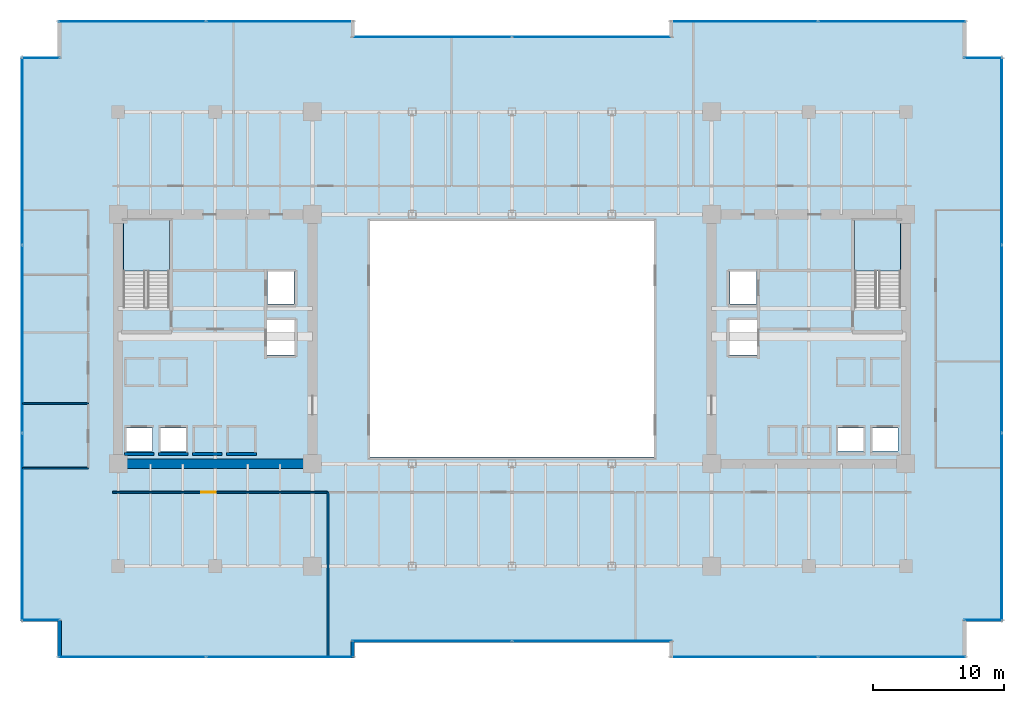
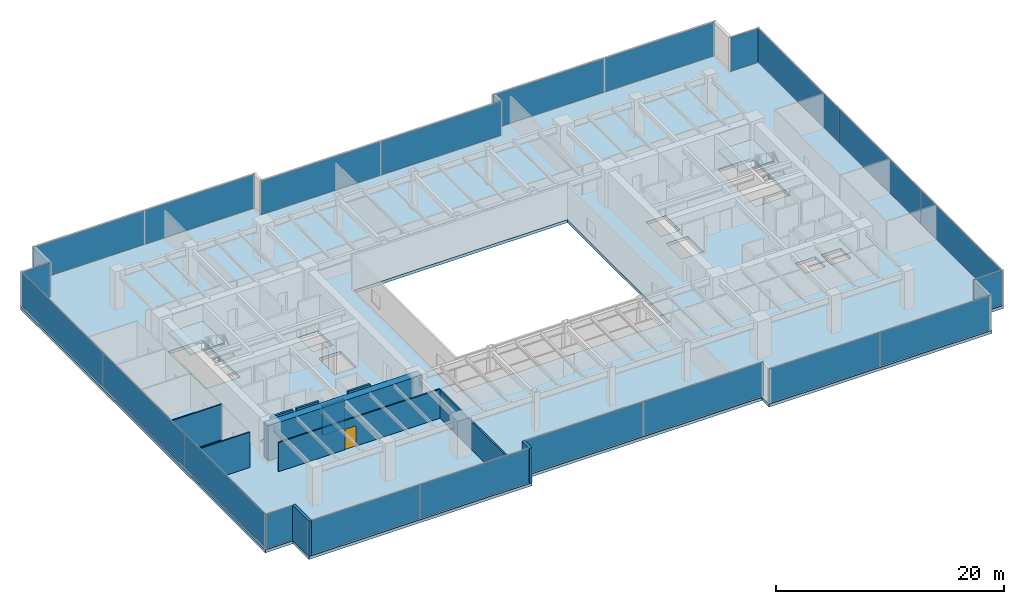
# One storey, part 28 of 35: 22 plates, 11 walls, 3 slabs, 1 door, 1 opening, 14 elements without a shape of their own.
"""IFC4 building model written with IfcOpenShell, lengths in metres."""

from ifc_helpers import new_model, si_unit, direction, frame, frame_2d, origin, origin_2d, place, context, subcontext, project, spatial, polyline, rectangle, outline, extrude, source, transform, mapped, material, layer, layer_set, type_object, type_shapes, element, fill, aggregate, save


model = new_model("IFC4")

# Units and contexts
model_context = context("Model", 3, precision=1e-05, world=origin(), true_north=direction((0.0, 1.0)))
body_context = subcontext(model_context, "Body", "Model", "MODEL_VIEW")
ifc_project = project(units=[si_unit("LENGTHUNIT", "METRE"), si_unit("AREAUNIT", "SQUARE_METRE"), si_unit("VOLUMEUNIT", "CUBIC_METRE"), si_unit("PLANEANGLEUNIT", "RADIAN"), si_unit("MASSUNIT", "GRAM", prefix="KILO")], contexts=[model_context])

# Site, building, storey
site_placement = place(None, origin())
site = spatial("IfcSite", under=ifc_project, at=site_placement, CompositionType="ELEMENT")
building_placement = place(site_placement, origin())
building = spatial("IfcBuilding", under=site, at=building_placement, Name="Haelvirn Gate Laboratories", CompositionType="ELEMENT")
storey_placement = place(building_placement, frame((0.0, 0.0, 90.800048828125)))
storey = spatial("IfcBuildingStorey", under=building, at=storey_placement, Name="L22", CompositionType="ELEMENT", Elevation=90.800048828125)

# Stair, slab
ifc_material_1 = material(Name="Concrete C40/50", Category="concrete")
stair_type = type_object("IfcStairType", Name="ST-DOG-1650-R22", PredefinedType="HALF_TURN_STAIR", material=ifc_material_1)
stair_1_placement = place(storey_placement, origin())
stair_1 = element("IfcStair", 1, at=stair_1_placement, inside=storey, type_object=stair_type, Name="L22 Escape Stair ST1", PredefinedType="HALF_TURN_STAIR")
ifc_layer_1 = layer(ifc_material_1, 0.199951171875, Name="SL-STAIR-LND")
ifc_layer_set_1 = layer_set([ifc_layer_1], Name="Concrete C40/50")
slab_type_1 = type_object("IfcSlabType", Name="SL-STAIR-LND", PredefinedType="LANDING", material=ifc_layer_set_1)
slab_1_placement = place(storey_placement, frame((0.0, 0.0, 1.849853515625)))
slab_1 = element("IfcSlab", 2, at=slab_1_placement, type_object=slab_type_1, Name="ST1 landing 1", PredefinedType="LANDING", context=body_context, shape_type="SweptSolid", body=[
    extrude(outline(polyline([(11.300048828125, 29.5), (11.300048828125, 33.35009765625), (7.800048828125, 33.35009765625), (7.800048828125, 29.5), (11.300048828125, 29.5)])), origin(), (0.0, 0.0, 1.0), 0.2001953125),
])
aggregate(stair_1, [slab_1])

stair_2_placement = place(storey_placement, origin())
stair_2 = element("IfcStair", 3, at=stair_2_placement, inside=storey, type_object=stair_type, Name="L22 Escape Stair ST2", PredefinedType="HALF_TURN_STAIR")
slab_2_placement = place(storey_placement, frame((0.0, 0.0, 1.849853515625)))
slab_2 = element("IfcSlab", 4, at=slab_2_placement, type_object=slab_type_1, Name="ST2 landing 1", PredefinedType="LANDING", context=body_context, shape_type="SweptSolid", body=[
    extrude(outline(polyline([(67.0, 29.5), (67.0, 33.35009765625), (63.5, 33.35009765625), (63.5, 29.5), (67.0, 29.5)])), origin(), (0.0, 0.0, 1.0), 0.2001953125),
])
aggregate(stair_2, [slab_2])

# Slab
ifc_material_2 = material(Name="Concrete C50/60", Category="concrete")
ifc_layer_2 = layer(ifc_material_2, 0.320068359375, Name="SL-Z1-320")
ifc_layer_set_2 = layer_set([ifc_layer_2], Name="Concrete C50/60")
slab_type_2 = type_object("IfcSlabType", Name="SL-Z1-320", PredefinedType="FLOOR", material=ifc_layer_set_2)
slab_3_placement = place(storey_placement, frame((0.0, 0.0, -0.320068359375)))
element("IfcSlab", 5, at=slab_3_placement, inside=storey, type_object=slab_type_2, Name="L22 Structural Slab MAIN", PredefinedType="FLOOR", context=body_context, shape_type="SweptSolid", body=[
    extrude(outline(polyline([(2.800048828125, 0.0), (25.39990234375, 0.0), (25.39990234375, 1.199951171875), (49.39990234375, 1.199951171875), (49.39990234375, 0.0), (72.0, 0.0), (72.0, 2.800048828125), (74.800048828125, 2.800048828125), (74.800048828125, 45.800048828125), (72.0, 45.800048828125), (72.0, 48.60009765625), (49.39990234375, 48.60009765625), (49.39990234375, 47.39990234375), (25.39990234375, 47.39990234375), (25.39990234375, 48.60009765625), (2.800048828125, 48.60009765625), (2.800048828125, 45.800048828125), (0.0, 45.800048828125), (0.0, 2.800048828125), (2.800048828125, 2.800048828125), (2.800048828125, 0.0)]), holes=[polyline([(26.60009765625, 15.300048828125), (48.199951171875, 15.300048828125), (48.199951171875, 33.300048828125), (26.60009765625, 33.300048828125), (26.60009765625, 15.300048828125)]), polyline([(11.300048828125, 26.780029296875), (11.300048828125, 33.35009765625), (7.800048828125, 33.35009765625), (7.800048828125, 26.780029296875), (11.300048828125, 26.780029296875)]), polyline([(67.0, 26.780029296875), (67.0, 33.35009765625), (63.5, 33.35009765625), (63.5, 26.780029296875), (67.0, 26.780029296875)]), polyline([(7.989990234375, 15.77001953125), (10.010009765625, 15.77001953125), (10.010009765625, 17.510009765625), (7.989990234375, 17.510009765625), (7.989990234375, 15.77001953125)]), polyline([(10.590087890625, 15.77001953125), (12.610107421875, 15.77001953125), (12.610107421875, 17.510009765625), (10.590087890625, 17.510009765625), (10.590087890625, 15.77001953125)]), polyline([(18.7900390625, 26.969970703125), (20.81005859375, 26.969970703125), (20.81005859375, 29.510009765625), (18.7900390625, 29.510009765625), (18.7900390625, 26.969970703125)]), polyline([(18.68994140625, 23.070068359375), (20.909912109375, 23.070068359375), (20.909912109375, 25.81005859375), (18.68994140625, 25.81005859375), (18.68994140625, 23.070068359375)]), polyline([(64.7900390625, 15.77001953125), (66.81005859375, 15.77001953125), (66.81005859375, 17.510009765625), (64.7900390625, 17.510009765625), (64.7900390625, 15.77001953125)]), polyline([(62.18994140625, 15.77001953125), (64.2099609375, 15.77001953125), (64.2099609375, 17.510009765625), (62.18994140625, 17.510009765625), (62.18994140625, 15.77001953125)]), polyline([(53.989990234375, 26.969970703125), (56.010009765625, 26.969970703125), (56.010009765625, 29.510009765625), (53.989990234375, 29.510009765625), (53.989990234375, 26.969970703125)]), polyline([(53.889892578125, 23.070068359375), (56.110107421875, 23.070068359375), (56.110107421875, 25.81005859375), (53.889892578125, 25.81005859375), (53.889892578125, 23.070068359375)])]), origin(), (0.0, 0.0, 1.0), 0.320068359375),
])

# Curtain wall, plates
ifc_material_3 = material(Name="Anodised bronze unitised aluminium & triple low-E glass", Category="aluminium")
ifc_layer_3 = layer(ifc_material_3, 0.18408203125, Name="CW-SYS-2")
ifc_layer_set_3 = layer_set([ifc_layer_3], Name="Anodised bronze unitised aluminium & triple low-E glass")
curtain_wall_type_1 = type_object("IfcCurtainWallType", Name="CW-SYS-2", PredefinedType="NOTDEFINED", material=ifc_layer_set_3)
curtain_wall_1_placement = place(storey_placement, origin())
curtain_wall_1 = element("IfcCurtainWall", 6, at=curtain_wall_1_placement, inside=storey, type_object=curtain_wall_type_1, Name="L22 Unitised Curtain Wall CW-L22-P0-E02-1", PredefinedType="NOTDEFINED")
ifc_material_4 = material(Name="Bronze solar-control triple low-E IGU 44 mm", Category="glass")
ifc_layer_4 = layer(ifc_material_4, 0.0439453125, Name="CWP-IGU-44")
ifc_layer_set_4 = layer_set([ifc_layer_4], Name="Bronze solar-control triple low-E IGU 44 mm")
plate_type_1 = type_object("IfcPlateType", Name="CWP-IGU-44", PredefinedType="CURTAIN_PANEL", material=ifc_layer_set_4)
shared_shape_1 = source(origin(), body_context, "Body", "SweptSolid", [
    extrude(rectangle(XDim=12.12744140625, YDim=0.0439453125, at=origin_2d()), origin(), (0.0, 0.0, 1.0), 3.639892578125),
])
plate_1_placement = place(storey_placement, frame((31.298828125, 1.300048828125, 0.06982421875), z_axis=(0.0, 0.0, 1.0), x_axis=(1.0, 0.0, 0.0)))
plate_1 = element("IfcPlate", 7, at=plate_1_placement, type_object=plate_type_1, Name="CW2 panel 1.1", PredefinedType="CURTAIN_PANEL", context=body_context, shape_type="MappedRepresentation", body=[
    mapped(shared_shape_1, transform((0.0, 0.0, 0.0), scale=1.0)),
])
plate_2_placement = place(storey_placement, frame((43.501220703125, 1.300048828125, 0.06982421875), z_axis=(0.0, 0.0, 1.0), x_axis=(1.0, 0.0, 0.0)))
plate_2 = element("IfcPlate", 8, at=plate_2_placement, type_object=plate_type_1, Name="CW2 panel 2.1", PredefinedType="CURTAIN_PANEL", context=body_context, shape_type="MappedRepresentation", body=[
    mapped(shared_shape_1, transform((0.0, 0.0, 0.0), scale=1.0)),
])
aggregate(curtain_wall_1, [plate_1, plate_2])

curtain_wall_2_placement = place(storey_placement, origin())
curtain_wall_2 = element("IfcCurtainWall", 9, at=curtain_wall_2_placement, inside=storey, type_object=curtain_wall_type_1, Name="L22 Unitised Curtain Wall CW-L22-P0-E12-1", PredefinedType="NOTDEFINED")
plate_3_placement = place(storey_placement, frame((31.298828125, 47.300048828125, 0.06982421875), z_axis=(0.0, 0.0, 1.0), x_axis=(1.0, 0.0, 0.0)))
plate_3 = element("IfcPlate", 10, at=plate_3_placement, type_object=plate_type_1, Name="CW2 panel 1.1", PredefinedType="CURTAIN_PANEL", context=body_context, shape_type="MappedRepresentation", body=[
    mapped(shared_shape_1, transform((0.0, 0.0, 0.0), scale=1.0)),
])
plate_4_placement = place(storey_placement, frame((43.501220703125, 47.300048828125, 0.06982421875), z_axis=(0.0, 0.0, 1.0), x_axis=(1.0, 0.0, 0.0)))
plate_4 = element("IfcPlate", 11, at=plate_4_placement, type_object=plate_type_1, Name="CW2 panel 2.1", PredefinedType="CURTAIN_PANEL", context=body_context, shape_type="MappedRepresentation", body=[
    mapped(shared_shape_1, transform((0.0, 0.0, 0.0), scale=1.0)),
])
aggregate(curtain_wall_2, [plate_3, plate_4])

curtain_wall_3_placement = place(storey_placement, origin())
curtain_wall_3 = element("IfcCurtainWall", 12, at=curtain_wall_3_placement, inside=storey, type_object=curtain_wall_type_1, Name="L22 Unitised Curtain Wall CW-L22-P0-E00-1", PredefinedType="NOTDEFINED")
shared_shape_2 = source(origin(), body_context, "Body", "SweptSolid", [
    extrude(rectangle(XDim=11.1875, YDim=0.0439453125, at=origin_2d()), origin(), (0.0, 0.0, 1.0), 3.639892578125),
])
plate_5_placement = place(storey_placement, frame((8.46875, 0.10009765625, 0.06982421875), z_axis=(0.0, 0.0, 1.0), x_axis=(1.0, 0.0, 0.0)))
plate_5 = element("IfcPlate", 13, at=plate_5_placement, type_object=plate_type_1, Name="CW2 panel 1.1", PredefinedType="CURTAIN_PANEL", context=body_context, shape_type="MappedRepresentation", body=[
    mapped(shared_shape_2, transform((0.0, 0.0, 0.0), scale=1.0)),
])
plate_6_placement = place(storey_placement, frame((19.731201171875, 0.10009765625, 0.06982421875), z_axis=(0.0, 0.0, 1.0), x_axis=(1.0, 0.0, 0.0)))
plate_6 = element("IfcPlate", 14, at=plate_6_placement, type_object=plate_type_1, Name="CW2 panel 2.1", PredefinedType="CURTAIN_PANEL", context=body_context, shape_type="MappedRepresentation", body=[
    mapped(shared_shape_2, transform((0.0, 0.0, 0.0), scale=1.0)),
])
aggregate(curtain_wall_3, [plate_5, plate_6])

curtain_wall_4_placement = place(storey_placement, origin())
curtain_wall_4 = element("IfcCurtainWall", 15, at=curtain_wall_4_placement, inside=storey, type_object=curtain_wall_type_1, Name="L22 Unitised Curtain Wall CW-L22-P0-E04-1", PredefinedType="NOTDEFINED")
plate_7_placement = place(storey_placement, frame((55.06884765625, 0.10009765625, 0.06982421875), z_axis=(0.0, 0.0, 1.0), x_axis=(1.0, 0.0, 0.0)))
plate_7 = element("IfcPlate", 16, at=plate_7_placement, type_object=plate_type_1, Name="CW2 panel 1.1", PredefinedType="CURTAIN_PANEL", context=body_context, shape_type="MappedRepresentation", body=[
    mapped(shared_shape_2, transform((0.0, 0.0, 0.0), scale=1.0)),
])
plate_8_placement = place(storey_placement, frame((66.331298828125, 0.10009765625, 0.06982421875), z_axis=(0.0, 0.0, 1.0), x_axis=(1.0, 0.0, 0.0)))
plate_8 = element("IfcPlate", 17, at=plate_8_placement, type_object=plate_type_1, Name="CW2 panel 2.1", PredefinedType="CURTAIN_PANEL", context=body_context, shape_type="MappedRepresentation", body=[
    mapped(shared_shape_2, transform((0.0, 0.0, 0.0), scale=1.0)),
])
aggregate(curtain_wall_4, [plate_7, plate_8])

curtain_wall_5_placement = place(storey_placement, origin())
curtain_wall_5 = element("IfcCurtainWall", 18, at=curtain_wall_5_placement, inside=storey, type_object=curtain_wall_type_1, Name="L22 Unitised Curtain Wall CW-L22-P0-E10-1", PredefinedType="NOTDEFINED")
plate_9_placement = place(storey_placement, frame((55.06884765625, 48.5, 0.06982421875), z_axis=(0.0, 0.0, 1.0), x_axis=(1.0, 0.0, 0.0)))
plate_9 = element("IfcPlate", 19, at=plate_9_placement, type_object=plate_type_1, Name="CW2 panel 1.1", PredefinedType="CURTAIN_PANEL", context=body_context, shape_type="MappedRepresentation", body=[
    mapped(shared_shape_2, transform((0.0, 0.0, 0.0), scale=1.0)),
])
plate_10_placement = place(storey_placement, frame((66.331298828125, 48.5, 0.06982421875), z_axis=(0.0, 0.0, 1.0), x_axis=(1.0, 0.0, 0.0)))
plate_10 = element("IfcPlate", 20, at=plate_10_placement, type_object=plate_type_1, Name="CW2 panel 2.1", PredefinedType="CURTAIN_PANEL", context=body_context, shape_type="MappedRepresentation", body=[
    mapped(shared_shape_2, transform((0.0, 0.0, 0.0), scale=1.0)),
])
aggregate(curtain_wall_5, [plate_9, plate_10])

curtain_wall_6_placement = place(storey_placement, origin())
curtain_wall_6 = element("IfcCurtainWall", 21, at=curtain_wall_6_placement, inside=storey, type_object=curtain_wall_type_1, Name="L22 Unitised Curtain Wall CW-L22-P0-E14-1", PredefinedType="NOTDEFINED")
plate_11_placement = place(storey_placement, frame((8.46875, 48.5, 0.06982421875), z_axis=(0.0, 0.0, 1.0), x_axis=(1.0, 0.0, 0.0)))
plate_11 = element("IfcPlate", 22, at=plate_11_placement, type_object=plate_type_1, Name="CW2 panel 1.1", PredefinedType="CURTAIN_PANEL", context=body_context, shape_type="MappedRepresentation", body=[
    mapped(shared_shape_2, transform((0.0, 0.0, 0.0), scale=1.0)),
])
plate_12_placement = place(storey_placement, frame((19.731201171875, 48.5, 0.06982421875), z_axis=(0.0, 0.0, 1.0), x_axis=(1.0, 0.0, 0.0)))
plate_12 = element("IfcPlate", 23, at=plate_12_placement, type_object=plate_type_1, Name="CW2 panel 2.1", PredefinedType="CURTAIN_PANEL", context=body_context, shape_type="MappedRepresentation", body=[
    mapped(shared_shape_2, transform((0.0, 0.0, 0.0), scale=1.0)),
])
aggregate(curtain_wall_6, [plate_11, plate_12])

# Curtain wall, plate
ifc_layer_5 = layer(ifc_material_3, 0.181884765625, Name="CW-SYS-5")
ifc_layer_set_5 = layer_set([ifc_layer_5], Name="Anodised bronze unitised aluminium & triple low-E glass")
curtain_wall_type_2 = type_object("IfcCurtainWallType", Name="CW-SYS-5", PredefinedType="NOTDEFINED", material=ifc_layer_set_5)
curtain_wall_7_placement = place(storey_placement, origin())
curtain_wall_7 = element("IfcCurtainWall", 24, at=curtain_wall_7_placement, inside=storey, type_object=curtain_wall_type_2, Name="L22 Unitised Curtain Wall CW-L22-P0-E06-1", PredefinedType="NOTDEFINED")
ifc_material_5 = material(Name="Clear low-iron notched-corner triple IGU 42 mm", Category="glass")
ifc_layer_6 = layer(ifc_material_5, 0.0419921875, Name="CWP-NTC-42")
ifc_layer_set_6 = layer_set([ifc_layer_6], Name="Clear low-iron notched-corner triple IGU 42 mm")
plate_type_2 = type_object("IfcPlateType", Name="CWP-NTC-42", PredefinedType="CURTAIN_PANEL", material=ifc_layer_set_6)
shared_shape_3 = source(origin(), body_context, "Body", "SweptSolid", [
    extrude(rectangle(XDim=2.8798828125, YDim=0.0419921875, at=origin_2d()), origin(), (0.0, 0.0, 1.0), 3.64990234375),
])
type_shapes(plate_type_2, [shared_shape_3])
plate_13_placement = place(storey_placement, frame((73.280029296875, 2.89990234375, 0.06494140625), z_axis=(0.0, 0.0, 1.0), x_axis=(1.0, 0.0, 0.0)))
plate_13 = element("IfcPlate", 25, at=plate_13_placement, type_object=plate_type_2, Name="CW5 panel 1.1", PredefinedType="CURTAIN_PANEL", context=body_context, shape_type="MappedRepresentation", body=[
    mapped(shared_shape_3, transform((0.0, 0.0, 0.0), scale=1.0)),
])
aggregate(curtain_wall_7, [plate_13])

curtain_wall_8_placement = place(storey_placement, origin())
curtain_wall_8 = element("IfcCurtainWall", 26, at=curtain_wall_8_placement, inside=storey, type_object=curtain_wall_type_2, Name="L22 Unitised Curtain Wall CW-L22-P0-E08-1", PredefinedType="NOTDEFINED")
plate_14_placement = place(storey_placement, frame((73.280029296875, 45.699951171875, 0.06494140625), z_axis=(0.0, 0.0, 1.0), x_axis=(1.0, 0.0, 0.0)))
plate_14 = element("IfcPlate", 27, at=plate_14_placement, type_object=plate_type_2, Name="CW5 panel 1.1", PredefinedType="CURTAIN_PANEL", context=body_context, shape_type="MappedRepresentation", body=[
    mapped(shared_shape_3, transform((0.0, 0.0, 0.0), scale=1.0)),
])
aggregate(curtain_wall_8, [plate_14])

curtain_wall_9_placement = place(storey_placement, origin())
curtain_wall_9 = element("IfcCurtainWall", 28, at=curtain_wall_9_placement, inside=storey, type_object=curtain_wall_type_2, Name="L22 Unitised Curtain Wall CW-L22-P0-E16-1", PredefinedType="NOTDEFINED")
plate_15_placement = place(storey_placement, frame((1.52001953125, 45.699951171875, 0.06494140625), z_axis=(0.0, 0.0, 1.0), x_axis=(1.0, 0.0, 0.0)))
plate_15 = element("IfcPlate", 29, at=plate_15_placement, type_object=plate_type_2, Name="CW5 panel 1.1", PredefinedType="CURTAIN_PANEL", context=body_context, shape_type="MappedRepresentation", body=[
    mapped(shared_shape_3, transform((0.0, 0.0, 0.0), scale=1.0)),
])
aggregate(curtain_wall_9, [plate_15])

curtain_wall_10_placement = place(storey_placement, origin())
curtain_wall_10 = element("IfcCurtainWall", 30, at=curtain_wall_10_placement, inside=storey, type_object=curtain_wall_type_2, Name="L22 Unitised Curtain Wall CW-L22-P0-E18-1", PredefinedType="NOTDEFINED")
plate_16_placement = place(storey_placement, frame((1.52001953125, 2.89990234375, 0.06494140625), z_axis=(0.0, 0.0, 1.0), x_axis=(1.0, 0.0, 0.0)))
plate_16 = element("IfcPlate", 31, at=plate_16_placement, type_object=plate_type_2, Name="CW5 panel 1.1", PredefinedType="CURTAIN_PANEL", context=body_context, shape_type="MappedRepresentation", body=[
    mapped(shared_shape_3, transform((0.0, 0.0, 0.0), scale=1.0)),
])
aggregate(curtain_wall_10, [plate_16])

# Curtain wall, plates
curtain_wall_11_placement = place(storey_placement, origin())
curtain_wall_11 = element("IfcCurtainWall", 32, at=curtain_wall_11_placement, inside=storey, type_object=curtain_wall_type_1, Name="L22 Unitised Curtain Wall CW-L22-P0-E07", PredefinedType="NOTDEFINED")
shared_shape_4 = source(origin(), body_context, "Body", "SweptSolid", [
    extrude(rectangle(XDim=14.220947265625, YDim=0.0439453125, at=origin_2d()), origin(), (0.0, 0.0, 1.0), 3.639892578125),
])
plate_17_placement = place(storey_placement, frame((74.699951171875, 9.9853515625, 0.06982421875), z_axis=(0.0, 0.0, 1.0), x_axis=(0.0, 1.0, 0.0)))
plate_17 = element("IfcPlate", 33, at=plate_17_placement, type_object=plate_type_1, Name="CW2 panel 1.1", PredefinedType="CURTAIN_PANEL", context=body_context, shape_type="MappedRepresentation", body=[
    mapped(shared_shape_4, transform((0.0, 0.0, 0.0), scale=1.0)),
])
plate_18_placement = place(storey_placement, frame((74.699951171875, 38.614501953125, 0.06982421875), z_axis=(0.0, 0.0, 1.0), x_axis=(0.0, 1.0, 0.0)))
plate_18 = element("IfcPlate", 34, at=plate_18_placement, type_object=plate_type_1, Name="CW2 panel 3.1", PredefinedType="CURTAIN_PANEL", context=body_context, shape_type="MappedRepresentation", body=[
    mapped(shared_shape_4, transform((0.0, 0.0, 0.0), scale=1.0)),
])

curtain_wall_12_placement = place(storey_placement, origin())
curtain_wall_12 = element("IfcCurtainWall", 35, at=curtain_wall_12_placement, inside=storey, type_object=curtain_wall_type_1, Name="L22 Unitised Curtain Wall CW-L22-P0-E17", PredefinedType="NOTDEFINED")
plate_19_placement = place(storey_placement, frame((0.10009765625, 38.614501953125, 0.06982421875), z_axis=(0.0, 0.0, 1.0), x_axis=(0.0, -1.0, 0.0)))
plate_19 = element("IfcPlate", 36, at=plate_19_placement, type_object=plate_type_1, Name="CW2 panel 1.1", PredefinedType="CURTAIN_PANEL", context=body_context, shape_type="MappedRepresentation", body=[
    mapped(shared_shape_4, transform((0.0, 0.0, 0.0), scale=1.0)),
])
plate_20_placement = place(storey_placement, frame((0.10009765625, 9.9853515625, 0.06982421875), z_axis=(0.0, 0.0, 1.0), x_axis=(0.0, -1.0, 0.0)))
plate_20 = element("IfcPlate", 37, at=plate_20_placement, type_object=plate_type_1, Name="CW2 panel 3.1", PredefinedType="CURTAIN_PANEL", context=body_context, shape_type="MappedRepresentation", body=[
    mapped(shared_shape_4, transform((0.0, 0.0, 0.0), scale=1.0)),
])

# Plate
shared_shape_5 = source(origin(), body_context, "Body", "SweptSolid", [
    extrude(rectangle(XDim=14.25830078125, YDim=0.0439453125, at=origin_2d()), origin(), (0.0, 0.0, 1.0), 3.639892578125),
])
type_shapes(plate_type_1, [shared_shape_1, shared_shape_2, shared_shape_4, shared_shape_5])
plate_21_placement = place(storey_placement, frame((74.699951171875, 24.300048828125, 0.06982421875), z_axis=(0.0, 0.0, 1.0), x_axis=(0.0, 1.0, 0.0)))
plate_21 = element("IfcPlate", 38, at=plate_21_placement, type_object=plate_type_1, Name="CW2 panel 2.1", PredefinedType="CURTAIN_PANEL", context=body_context, shape_type="MappedRepresentation", body=[
    mapped(shared_shape_5, transform((0.0, 0.0, 0.0), scale=1.0)),
])

aggregate(curtain_wall_11, [plate_17, plate_21, plate_18])

plate_22_placement = place(storey_placement, frame((0.10009765625, 24.300048828125, 0.06982421875), z_axis=(0.0, 0.0, 1.0), x_axis=(0.0, -1.0, 0.0)))
plate_22 = element("IfcPlate", 39, at=plate_22_placement, type_object=plate_type_1, Name="CW2 panel 2.1", PredefinedType="CURTAIN_PANEL", context=body_context, shape_type="MappedRepresentation", body=[
    mapped(shared_shape_5, transform((0.0, 0.0, 0.0), scale=1.0)),
])

aggregate(curtain_wall_12, [plate_19, plate_22, plate_20])

# Walls
ifc_material_6 = material(Name="Thermally-broken bronze aluminium rainscreen & mineral wool", Category="aluminium")
ifc_layer_7 = layer(ifc_material_6, 0.280029296875, Name="EW-TERR-280")
ifc_layer_set_7 = layer_set([ifc_layer_7], Name="Thermally-broken bronze aluminium rainscreen & mineral wool")
wall_type_1 = type_object("IfcWallType", Name="EW-TERR-280", PredefinedType="STANDARD", material=ifc_layer_set_7)
wall_1_placement = place(storey_placement, frame((25.260009765625, 0.0, 0.0), z_axis=(0.0, 0.0, 1.0), x_axis=(0.0, 1.0, 0.0)))
element("IfcWall", 40, at=wall_1_placement, inside=storey, type_object=wall_type_1, Name="L22 Atrium Recess Bronze Return Wall 01", PredefinedType="STANDARD", context=body_context, shape_type="SweptSolid", body=[
    extrude(rectangle(XDim=1.2880859375, YDim=0.280029296875, at=frame_2d((0.64404296875, 0.0))), origin(), (0.0, 0.0, 1.0), 3.780029296875),
])
wall_2_placement = place(storey_placement, frame((2.93994140625, 2.887939453125, 0.0), z_axis=(0.0, 0.0, 1.0), x_axis=(0.0, -1.0, 0.0)))
element("IfcWall", 41, at=wall_2_placement, inside=storey, type_object=wall_type_1, Name="L22 Atrium Recess Bronze Return Wall 19", PredefinedType="STANDARD", context=body_context, shape_type="SweptSolid", body=[
    extrude(rectangle(XDim=2.887939453125, YDim=0.280029296875, at=frame_2d((1.44384765625, 0.0))), origin(), (0.0, 0.0, 1.0), 3.780029296875),
])
ifc_material_7 = material(Name="Double-layer acoustic gypsum laboratory partition", Category="gypsum")
ifc_layer_8 = layer(ifc_material_7, 0.159912109375, Name="IW-ACOUST-160")
ifc_layer_set_8 = layer_set([ifc_layer_8], Name="Double-layer acoustic gypsum laboratory partition")
wall_type_2 = type_object("IfcWallType", Name="IW-ACOUST-160", PredefinedType="PARTITIONING", material=ifc_layer_set_8)
wall_3_placement = place(storey_placement, frame((23.39990234375, 0.110107421875, 0.0), z_axis=(0.0, 0.0, 1.0), x_axis=(0.0, 1.0, 0.0)))
element("IfcWall", 42, at=wall_3_placement, inside=storey, type_object=wall_type_2, Name="L22 Interior Wall IW-L22-SDIV-01", PredefinedType="PARTITIONING", context=body_context, shape_type="SweptSolid", body=[
    extrude(rectangle(XDim=12.52978515625, YDim=0.159912109375, at=frame_2d((6.264892578125, 0.0))), origin(), (0.0, 0.0, 1.0), 3.014892578125),
])
ifc_material_8 = material(Name="Lightweight acoustic gypsum board partition", Category="gypsum")
ifc_layer_9 = layer(ifc_material_8, 0.1201171875, Name="IW-PART-120")
ifc_layer_set_9 = layer_set([ifc_layer_9], Name="Lightweight acoustic gypsum board partition")
wall_type_3 = type_object("IfcWallType", Name="IW-PART-120", PredefinedType="PARTITIONING", material=ifc_layer_set_9)
for number, where, z_axis, x_axis, name in (
    (43, (0.110107421875, 14.465087890625, 0.0), (0.0, 0.0, 1.0), (1.0, 0.0, 0.0), "L22 Interior Wall IW-L22-WCAP-S"),
    (44, (0.110107421875, 19.39990234375, 0.0), (0.0, 0.0, 1.0), (1.0, 0.0, 0.0), "L22 Interior Wall IW-L22-WDIV-01"),
):
    element("IfcWall", number, at=place(storey_placement, frame(where, z_axis=z_axis, x_axis=x_axis)), inside=storey, type_object=wall_type_3, Name=name, PredefinedType="PARTITIONING", context=body_context, shape_type="SweptSolid", body=[
        extrude(rectangle(XDim=5.019775390625, YDim=0.1201171875, at=frame_2d((2.509765625, 0.0))), origin(), (0.0, 0.0, 1.0), 3.780029296875),
    ])

# Wall, opening, door
ifc_material_9 = material(Name="Acoustic mineral-wool gypsum board partition", Category="gypsum")
ifc_layer_10 = layer(ifc_material_9, 0.139892578125, Name="IW-PART-140")
ifc_layer_set_10 = layer_set([ifc_layer_10], Name="Acoustic mineral-wool gypsum board partition")
wall_type_4 = type_object("IfcWallType", Name="IW-PART-140", PredefinedType="PARTITIONING", material=ifc_layer_set_10)
wall_4_placement = place(storey_placement, frame((6.97998046875, 12.639892578125, 0.0), z_axis=(0.0, 0.0, 1.0), x_axis=(1.0, 0.0, 0.0)))
wall_4 = element("IfcWall", 45, at=wall_4_placement, inside=storey, type_object=wall_type_4, Name="L22 Interior Wall IW-L22-SCORR-01", PredefinedType="PARTITIONING", context=body_context, shape_type="SweptSolid", body=[
    extrude(rectangle(XDim=16.340087890625, YDim=0.139892578125, at=frame_2d((8.169921875, 0.0))), origin(), (0.0, 0.0, 1.0), 3.114990234375),
])
opening_placement = place(wall_4_placement, frame((6.74755859375, 0.0, 0.0)))
opening = element("IfcOpeningElement", 46, at=opening_placement, cuts=wall_4, Name="Opening D1", PredefinedType="OPENING", context=body_context, shape_type="SweptSolid", body=[
    extrude(rectangle(XDim=1.10009765625, YDim=2.179931640625, at=frame_2d((0.550048828125, 1.08984375))), frame((0.0, 0.080078125, 0.0), z_axis=(0.0, -1.0, 0.0), x_axis=(1.0, 0.0, 0.0)), (0.0, 0.0, 1.0), 0.159912109375),
])
ifc_material_10 = material(Name="Vision-panel acoustic solid-core timber lab door", Category="wood")
door_type = type_object("IfcDoorType", Name="DR-LAB-1100", OperationType="NOTDEFINED", PredefinedType="DOOR", material=ifc_material_10)
shared_shape_6 = source(origin(), body_context, "Body", "SweptSolid", [
    extrude(rectangle(XDim=1.10009765625, YDim=2.179931640625, at=frame_2d((0.550048828125, 1.08984375))), frame((0.0, 0.02490234375, 0.0), z_axis=(0.0, -1.0, 0.0), x_axis=(1.0, 0.0, 0.0)), (0.0, 0.0, 1.0), 0.050048828125),
])
type_shapes(door_type, [shared_shape_6])
door_placement = place(opening_placement, origin())
door = element("IfcDoor", 47, at=door_placement, inside=storey, type_object=door_type, Name="L22 Translational Data Office Door S1", OperationType="SINGLE_SWING_LEFT", OverallHeight=2.179931640625, OverallWidth=1.10009765625, PredefinedType="DOOR", context=body_context, shape_type="MappedRepresentation", body=[
    mapped(shared_shape_6, transform((0.0, 0.0, 0.0), scale=1.0)),
])
fill(opening, door)

# Walls
ifc_layer_11 = layer(ifc_material_1, 0.199951171875, Name="IW-SHAFT-200")
ifc_layer_set_11 = layer_set([ifc_layer_11], Name="Concrete C40/50")
wall_type_5 = type_object("IfcWallType", Name="IW-SHAFT-200", PredefinedType="SOLIDWALL", material=ifc_layer_set_11)
wall_5_placement = place(storey_placement, frame((7.8701171875, 15.550048828125, 0.0), z_axis=(0.0, 0.0, 1.0), x_axis=(1.0, 0.0, 0.0)))
element("IfcWall", 48, at=wall_5_placement, inside=storey, type_object=wall_type_5, Name="L22 Interior Wall IW-L22-PL1-BK", PredefinedType="SOLIDWALL", context=body_context, shape_type="SweptSolid", body=[
    extrude(rectangle(XDim=2.259765625, YDim=0.199951171875, at=frame_2d((1.1298828125, 0.0))), origin(), (0.0, 0.0, 1.0), 3.780029296875),
])
wall_6_placement = place(storey_placement, frame((10.469970703125, 15.550048828125, 0.0), z_axis=(0.0, 0.0, 1.0), x_axis=(1.0, 0.0, 0.0)))
element("IfcWall", 49, at=wall_6_placement, inside=storey, type_object=wall_type_5, Name="L22 Interior Wall IW-L22-PL2-BK", PredefinedType="SOLIDWALL", context=body_context, shape_type="SweptSolid", body=[
    extrude(rectangle(XDim=2.260009765625, YDim=0.199951171875, at=frame_2d((1.1298828125, 0.0))), origin(), (0.0, 0.0, 1.0), 3.780029296875),
])
wall_7_placement = place(storey_placement, frame((13.070068359375, 15.550048828125, 0.0), z_axis=(0.0, 0.0, 1.0), x_axis=(1.0, 0.0, 0.0)))
element("IfcWall", 50, at=wall_7_placement, inside=storey, type_object=wall_type_5, Name="L22 Interior Wall IW-L22-PL5-BK", PredefinedType="SOLIDWALL", context=body_context, shape_type="SweptSolid", body=[
    extrude(rectangle(XDim=2.260009765625, YDim=0.199951171875, at=frame_2d((1.1298828125, 0.0))), origin(), (0.0, 0.0, 1.0), 3.114990234375),
])
wall_8_placement = place(storey_placement, frame((15.669921875, 15.550048828125, 0.0), z_axis=(0.0, 0.0, 1.0), x_axis=(1.0, 0.0, 0.0)))
element("IfcWall", 51, at=wall_8_placement, inside=storey, type_object=wall_type_5, Name="L22 Interior Wall IW-L22-PL6-BK", PredefinedType="SOLIDWALL", context=body_context, shape_type="SweptSolid", body=[
    extrude(rectangle(XDim=2.260009765625, YDim=0.199951171875, at=frame_2d((1.1298828125, 0.0))), origin(), (0.0, 0.0, 1.0), 3.780029296875),
])
ifc_material_11 = material(Name="Concrete C70/85", Category="concrete")
ifc_layer_12 = layer(ifc_material_11, 0.75, Name="SW-CORE-750")
ifc_layer_set_12 = layer_set([ifc_layer_12], Name="Concrete C70/85")
wall_type_6 = type_object("IfcWallType", Name="SW-CORE-750", PredefinedType="SHEAR", material=ifc_layer_set_12)
wall_9_placement = place(storey_placement, frame((7.02490234375, 14.800048828125, 0.0), z_axis=(0.0, 0.0, 1.0), x_axis=(1.0, 0.0, 0.0)))
element("IfcWall", 52, at=wall_9_placement, inside=storey, type_object=wall_type_6, Name="L22 W Core Shear Wall S", PredefinedType="SHEAR", context=body_context, shape_type="SweptSolid", body=[
    extrude(rectangle(XDim=15.550048828125, YDim=0.75, at=frame_2d((7.77490234375, 0.0))), origin(), (0.0, 0.0, 1.0), 3.780029296875),
])

save(model, "model.ifc")
